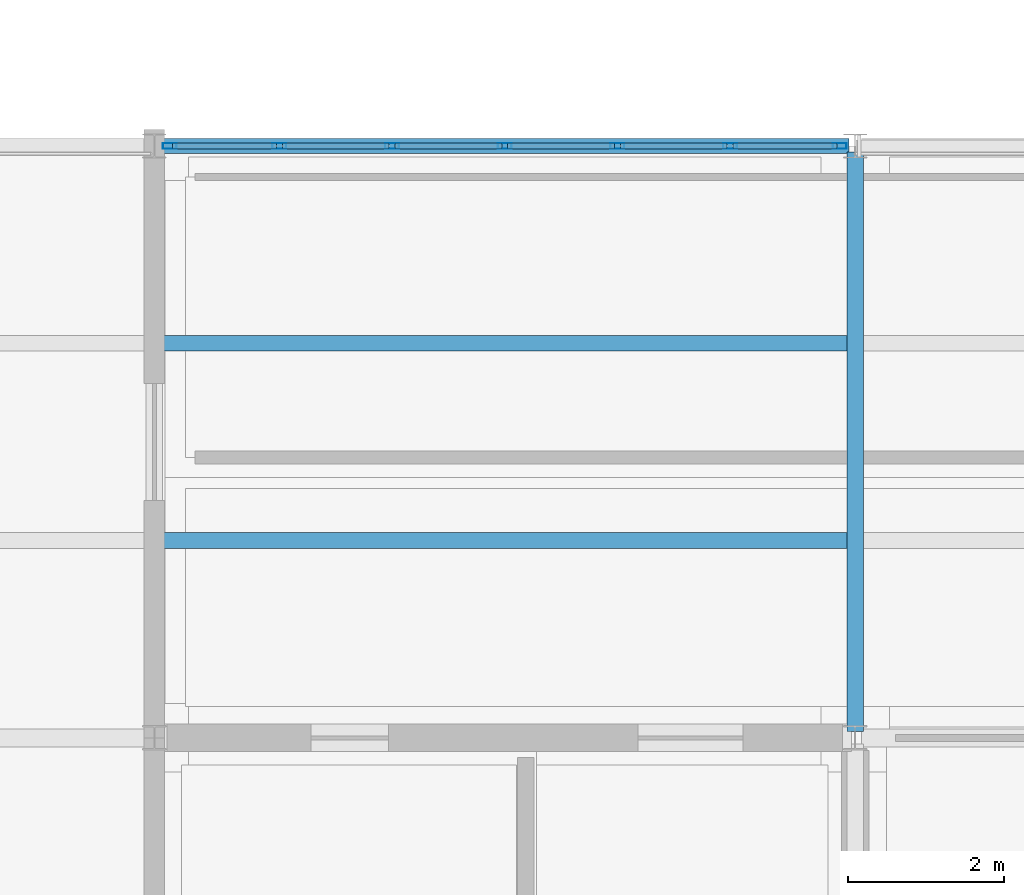
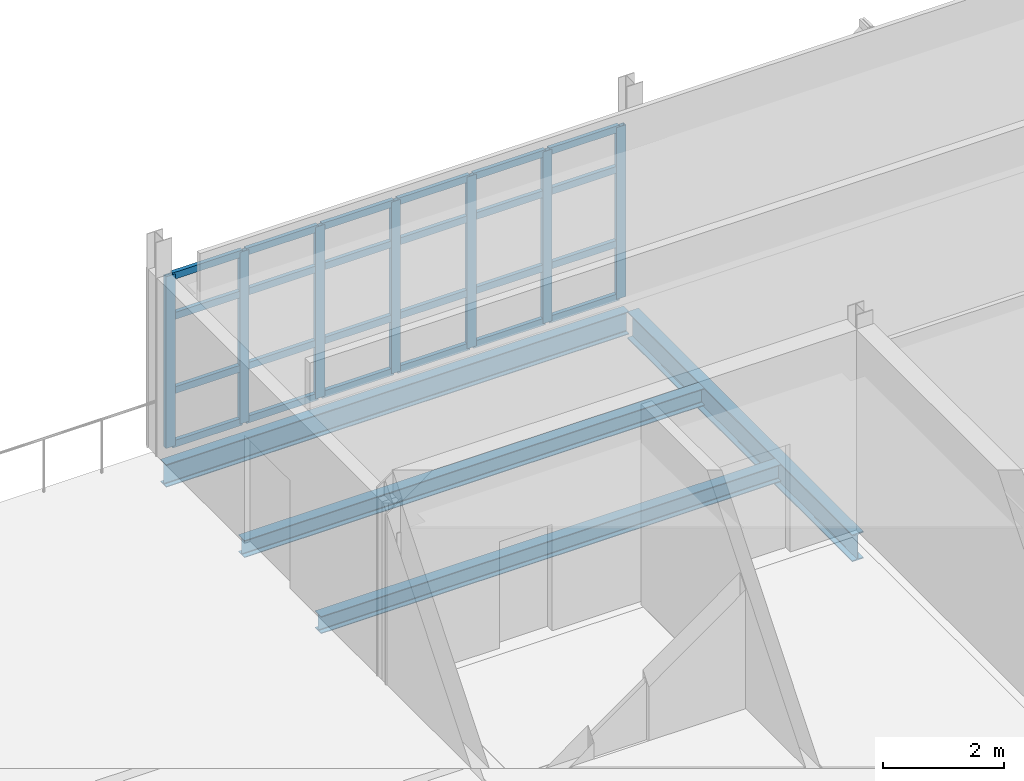
# One storey, part 7 of 48: 31 members, 4 beams, 1 element without a shape of its own.
"""IFC4 building model written with IfcOpenShell, lengths in metres."""

from ifc_helpers import new_model, si_unit, direction, frame, origin, origin_2d, place, context, subcontext, project, spatial, hollow_rectangle, i_section, extrude, material, material_profile, profile_set, type_object, element, aggregate, save


model = new_model("IFC4")

# Units and contexts
model_context = context("Model", 3, precision=1e-05, world=origin(), true_north=direction((0.0, 1.0)))
body_context = subcontext(model_context, "Body", "Model", "MODEL_VIEW")
ifc_project = project(units=[si_unit("LENGTHUNIT", "METRE"), si_unit("AREAUNIT", "SQUARE_METRE"), si_unit("VOLUMEUNIT", "CUBIC_METRE"), si_unit("PLANEANGLEUNIT", "RADIAN"), si_unit("MASSUNIT", "GRAM", prefix="KILO")], contexts=[model_context])

# Site, building, storey
site_placement = place(None, origin())
site = spatial("IfcSite", under=ifc_project, at=site_placement, CompositionType="ELEMENT")
building_placement = place(site_placement, origin())
building = spatial("IfcBuilding", under=site, at=building_placement, Name="Caisbarro Railhouse Central Library", CompositionType="ELEMENT")
storey_placement = place(building_placement, frame((0.0, 0.0, 18.0)))
storey = spatial("IfcBuildingStorey", under=building, at=storey_placement, Name="L04", CompositionType="ELEMENT", Elevation=18.0)

# Beams
ifc_material_1 = material(Name="Steel ASTM A572 Grade 50", Category="steel")
ifc_material_profile_1 = material_profile(ifc_material_1, i_section(OverallWidth=0.2119140625, OverallDepth=0.5439453125, WebThickness=0.01318359375, FlangeThickness=0.021240234375, FilletRadius=0.02001953125, at=origin_2d()), Name="W530X123.0")
ifc_profile_set_1 = profile_set([ifc_material_profile_1], Name="Steel ASTM A572 Grade 50")
beam_type_1 = type_object("IfcBeamType", Name="BM-G05", PredefinedType="BEAM", material=ifc_profile_set_1)
beam_1_placement = place(storey_placement, frame((72.0, 15.280029296875, -0.552001953125), z_axis=(0.0, 1.0, 0.0), x_axis=(-1.0, 0.0, 0.0)))
element("IfcBeam", 1, at=beam_1_placement, inside=storey, type_object=beam_type_1, Name="G05 beam L04 #2040", PredefinedType="BEAM", context=body_context, shape_type="SweptSolid", body=[
    extrude(i_section(OverallWidth=0.2119140625, OverallDepth=0.5439453125, WebThickness=0.01318359375, FlangeThickness=0.021240234375, FilletRadius=0.02001953125, at=origin_2d()), origin(), (0.0, 0.0, 1.0), 7.43994140625),
])
ifc_material_profile_2 = material_profile(ifc_material_1, i_section(OverallWidth=0.202880859375, OverallDepth=0.346923828125, WebThickness=0.0078125, FlangeThickness=0.013427734375, FilletRadius=0.014892578125, at=origin_2d()), Name="W360X64.0")
ifc_profile_set_2 = profile_set([ifc_material_profile_2], Name="Steel ASTM A572 Grade 50")
beam_type_2 = type_object("IfcBeamType", Name="BM-J01", PredefinedType="JOIST", material=ifc_profile_set_2)
for number, where, z_axis, x_axis, name in (
    (2, (63.10595703125, 17.7333984375, -0.45361328125), (1.0, 0.0, 0.0), (0.0, 1.0, 0.0), "J01 beam L04 #2053"),
    (3, (63.10595703125, 20.2666015625, -0.45361328125), (1.0, 0.0, 0.0), (0.0, 1.0, 0.0), "J01 beam L04 #2054"),
):
    element("IfcBeam", number, at=place(storey_placement, frame(where, z_axis=z_axis, x_axis=x_axis)), inside=storey, type_object=beam_type_2, Name=name, PredefinedType="JOIST", context=body_context, shape_type="SweptSolid", body=[
        extrude(i_section(OverallWidth=0.202880859375, OverallDepth=0.346923828125, WebThickness=0.0078125, FlangeThickness=0.013427734375, FilletRadius=0.014892578125, at=origin_2d()), origin(), (0.0, 0.0, 1.0), 8.7880859375),
    ])
ifc_material_profile_3 = material_profile(ifc_material_1, i_section(OverallWidth=0.18994140625, OverallDepth=0.45703125, WebThickness=0.009033203125, FlangeThickness=0.014404296875, FilletRadius=0.01806640625, at=origin_2d()), Name="W460X74.0")
ifc_profile_set_3 = profile_set([ifc_material_profile_3], Name="Steel ASTM A572 Grade 50")
beam_type_3 = type_object("IfcBeamType", Name="BM-SP01", PredefinedType="SPANDREL", material=ifc_profile_set_3)
beam_2_placement = place(storey_placement, frame((63.080078125, 22.800048828125, -0.508544921875), z_axis=(1.0, 0.0, 0.0), x_axis=(0.0, 1.0, 0.0)))
element("IfcBeam", 4, at=beam_2_placement, inside=storey, type_object=beam_type_3, Name="SP01 beam L04 #2030", PredefinedType="SPANDREL", context=body_context, shape_type="SweptSolid", body=[
    extrude(i_section(OverallWidth=0.18994140625, OverallDepth=0.45703125, WebThickness=0.009033203125, FlangeThickness=0.014404296875, FilletRadius=0.01806640625, at=origin_2d()), origin(), (0.0, 0.0, 1.0), 8.83984375),
])

# Curtain wall, members
ifc_material_2 = material(Name="Anodised architectural aluminium", Category="aluminium")
curtain_wall_type = type_object("IfcCurtainWallType", Name="CW-CW02", PredefinedType="NOTDEFINED", material=ifc_material_2)
curtain_wall_placement = place(storey_placement, origin())
curtain_wall = element("IfcCurtainWall", 5, at=curtain_wall_placement, inside=storey, type_object=curtain_wall_type, Name="CW02 curtain wall L04 #67", PredefinedType="NOTDEFINED")
ifc_material_profile_4 = material_profile(ifc_material_2, hollow_rectangle(XDim=0.074951171875, YDim=0.179931640625, WallThickness=0.00439453125, at=origin_2d()), Name="ALU-MUL-75X180")
ifc_profile_set_4 = profile_set([ifc_material_profile_4], Name="Anodised architectural aluminium")
member_type_1 = type_object("IfcMemberType", Name="CWM-M01", PredefinedType="MULLION", material=ifc_profile_set_4)
member_1_placement = place(storey_placement, frame((63.197509765625, 22.800048828125, 0.0), z_axis=(0.0, 0.0, 1.0), x_axis=(0.0, 1.0, 0.0)))
member_1 = element("IfcMember", 6, at=member_1_placement, type_object=member_type_1, Name="CW02 mullion 1", PredefinedType="MULLION", context=body_context, shape_type="SweptSolid", body=[
    extrude(hollow_rectangle(XDim=0.074951171875, YDim=0.179931640625, WallThickness=0.00439453125, at=origin_2d()), origin(), (0.0, 0.0, 1.0), 3.469970703125),
])
member_2_placement = place(storey_placement, frame((64.606689453125, 22.800048828125, 0.0), z_axis=(0.0, 0.0, 1.0), x_axis=(0.0, 1.0, 0.0)))
member_2 = element("IfcMember", 7, at=member_2_placement, type_object=member_type_1, Name="CW02 mullion 2", PredefinedType="MULLION", context=body_context, shape_type="SweptSolid", body=[
    extrude(hollow_rectangle(XDim=0.074951171875, YDim=0.179931640625, WallThickness=0.00439453125, at=origin_2d()), origin(), (0.0, 0.0, 1.0), 3.469970703125),
])
member_3_placement = place(storey_placement, frame((66.05322265625, 22.800048828125, 0.0), z_axis=(0.0, 0.0, 1.0), x_axis=(0.0, 1.0, 0.0)))
member_3 = element("IfcMember", 8, at=member_3_placement, type_object=member_type_1, Name="CW02 mullion 3", PredefinedType="MULLION", context=body_context, shape_type="SweptSolid", body=[
    extrude(hollow_rectangle(XDim=0.074951171875, YDim=0.179931640625, WallThickness=0.00439453125, at=origin_2d()), origin(), (0.0, 0.0, 1.0), 3.469970703125),
])
member_4_placement = place(storey_placement, frame((67.5, 22.800048828125, 0.0), z_axis=(0.0, 0.0, 1.0), x_axis=(0.0, 1.0, 0.0)))
member_4 = element("IfcMember", 9, at=member_4_placement, type_object=member_type_1, Name="CW02 mullion 4", PredefinedType="MULLION", context=body_context, shape_type="SweptSolid", body=[
    extrude(hollow_rectangle(XDim=0.074951171875, YDim=0.179931640625, WallThickness=0.00439453125, at=origin_2d()), origin(), (0.0, 0.0, 1.0), 3.469970703125),
])
member_5_placement = place(storey_placement, frame((68.94677734375, 22.800048828125, 0.0), z_axis=(0.0, 0.0, 1.0), x_axis=(0.0, 1.0, 0.0)))
member_5 = element("IfcMember", 10, at=member_5_placement, type_object=member_type_1, Name="CW02 mullion 5", PredefinedType="MULLION", context=body_context, shape_type="SweptSolid", body=[
    extrude(hollow_rectangle(XDim=0.074951171875, YDim=0.179931640625, WallThickness=0.00439453125, at=origin_2d()), origin(), (0.0, 0.0, 1.0), 3.469970703125),
])
member_6_placement = place(storey_placement, frame((70.393310546875, 22.800048828125, 0.0), z_axis=(0.0, 0.0, 1.0), x_axis=(0.0, 1.0, 0.0)))
member_6 = element("IfcMember", 11, at=member_6_placement, type_object=member_type_1, Name="CW02 mullion 6", PredefinedType="MULLION", context=body_context, shape_type="SweptSolid", body=[
    extrude(hollow_rectangle(XDim=0.074951171875, YDim=0.179931640625, WallThickness=0.00439453125, at=origin_2d()), origin(), (0.0, 0.0, 1.0), 3.469970703125),
])
member_7_placement = place(storey_placement, frame((71.802490234375, 22.800048828125, 0.0), z_axis=(0.0, 0.0, 1.0), x_axis=(0.0, 1.0, 0.0)))
member_7 = element("IfcMember", 12, at=member_7_placement, type_object=member_type_1, Name="CW02 mullion 7", PredefinedType="MULLION", context=body_context, shape_type="SweptSolid", body=[
    extrude(hollow_rectangle(XDim=0.074951171875, YDim=0.179931640625, WallThickness=0.00439453125, at=origin_2d()), origin(), (0.0, 0.0, 1.0), 3.469970703125),
])
ifc_material_profile_5 = material_profile(ifc_material_2, hollow_rectangle(XDim=0.074951171875, YDim=0.139892578125, WallThickness=0.00390625, at=origin_2d()), Name="ALU-TRN-75X140")
ifc_profile_set_5 = profile_set([ifc_material_profile_5], Name="Anodised architectural aluminium")
member_type_2 = type_object("IfcMemberType", Name="CWT-T01", PredefinedType="USERDEFINED", material=ifc_profile_set_5)
member_8_placement = place(storey_placement, frame((63.235107421875, 22.800048828125, 0.03759765625), z_axis=(1.0, 0.0, 0.0), x_axis=(0.0, 1.0, 0.0)))
member_8 = element("IfcMember", 13, at=member_8_placement, type_object=member_type_2, Name="CW02 transom 1.1", ObjectType="TRANSOM", PredefinedType="USERDEFINED", context=body_context, shape_type="SweptSolid", body=[
    extrude(hollow_rectangle(XDim=0.074951171875, YDim=0.139892578125, WallThickness=0.00390625, at=origin_2d()), origin(), (0.0, 0.0, 1.0), 1.333984375),
])
member_9_placement = place(storey_placement, frame((63.235107421875, 22.800048828125, 1.1201171875), z_axis=(1.0, 0.0, 0.0), x_axis=(0.0, 1.0, 0.0)))
member_9 = element("IfcMember", 14, at=member_9_placement, type_object=member_type_2, Name="CW02 transom 1.2", ObjectType="TRANSOM", PredefinedType="USERDEFINED", context=body_context, shape_type="SweptSolid", body=[
    extrude(hollow_rectangle(XDim=0.074951171875, YDim=0.139892578125, WallThickness=0.00390625, at=origin_2d()), origin(), (0.0, 0.0, 1.0), 1.333984375),
])
member_10_placement = place(storey_placement, frame((63.235107421875, 22.800048828125, 2.6201171875), z_axis=(1.0, 0.0, 0.0), x_axis=(0.0, 1.0, 0.0)))
member_10 = element("IfcMember", 15, at=member_10_placement, type_object=member_type_2, Name="CW02 transom 1.3", ObjectType="TRANSOM", PredefinedType="USERDEFINED", context=body_context, shape_type="SweptSolid", body=[
    extrude(hollow_rectangle(XDim=0.074951171875, YDim=0.139892578125, WallThickness=0.00390625, at=origin_2d()), origin(), (0.0, 0.0, 1.0), 1.333984375),
])
member_11_placement = place(storey_placement, frame((63.235107421875, 22.800048828125, 3.4326171875), z_axis=(1.0, 0.0, 0.0), x_axis=(0.0, 1.0, 0.0)))
member_11 = element("IfcMember", 16, at=member_11_placement, type_object=member_type_2, Name="CW02 transom 1.4", ObjectType="TRANSOM", PredefinedType="USERDEFINED", context=body_context, shape_type="SweptSolid", body=[
    extrude(hollow_rectangle(XDim=0.074951171875, YDim=0.139892578125, WallThickness=0.00390625, at=origin_2d()), origin(), (0.0, 0.0, 1.0), 1.333984375),
])
member_12_placement = place(storey_placement, frame((64.644287109375, 22.800048828125, 0.03759765625), z_axis=(1.0, 0.0, 0.0), x_axis=(0.0, 1.0, 0.0)))
member_12 = element("IfcMember", 17, at=member_12_placement, type_object=member_type_2, Name="CW02 transom 2.1", ObjectType="TRANSOM", PredefinedType="USERDEFINED", context=body_context, shape_type="SweptSolid", body=[
    extrude(hollow_rectangle(XDim=0.074951171875, YDim=0.139892578125, WallThickness=0.00390625, at=origin_2d()), origin(), (0.0, 0.0, 1.0), 1.37158203125),
])
member_13_placement = place(storey_placement, frame((64.644287109375, 22.800048828125, 1.1201171875), z_axis=(1.0, 0.0, 0.0), x_axis=(0.0, 1.0, 0.0)))
member_13 = element("IfcMember", 18, at=member_13_placement, type_object=member_type_2, Name="CW02 transom 2.2", ObjectType="TRANSOM", PredefinedType="USERDEFINED", context=body_context, shape_type="SweptSolid", body=[
    extrude(hollow_rectangle(XDim=0.074951171875, YDim=0.139892578125, WallThickness=0.00390625, at=origin_2d()), origin(), (0.0, 0.0, 1.0), 1.37158203125),
])
member_14_placement = place(storey_placement, frame((64.644287109375, 22.800048828125, 2.6201171875), z_axis=(1.0, 0.0, 0.0), x_axis=(0.0, 1.0, 0.0)))
member_14 = element("IfcMember", 19, at=member_14_placement, type_object=member_type_2, Name="CW02 transom 2.3", ObjectType="TRANSOM", PredefinedType="USERDEFINED", context=body_context, shape_type="SweptSolid", body=[
    extrude(hollow_rectangle(XDim=0.074951171875, YDim=0.139892578125, WallThickness=0.00390625, at=origin_2d()), origin(), (0.0, 0.0, 1.0), 1.37158203125),
])
member_15_placement = place(storey_placement, frame((64.644287109375, 22.800048828125, 3.4326171875), z_axis=(1.0, 0.0, 0.0), x_axis=(0.0, 1.0, 0.0)))
member_15 = element("IfcMember", 20, at=member_15_placement, type_object=member_type_2, Name="CW02 transom 2.4", ObjectType="TRANSOM", PredefinedType="USERDEFINED", context=body_context, shape_type="SweptSolid", body=[
    extrude(hollow_rectangle(XDim=0.074951171875, YDim=0.139892578125, WallThickness=0.00390625, at=origin_2d()), origin(), (0.0, 0.0, 1.0), 1.37158203125),
])
member_16_placement = place(storey_placement, frame((66.0908203125, 22.800048828125, 0.03759765625), z_axis=(1.0, 0.0, 0.0), x_axis=(0.0, 1.0, 0.0)))
member_16 = element("IfcMember", 21, at=member_16_placement, type_object=member_type_2, Name="CW02 transom 3.1", ObjectType="TRANSOM", PredefinedType="USERDEFINED", context=body_context, shape_type="SweptSolid", body=[
    extrude(hollow_rectangle(XDim=0.074951171875, YDim=0.139892578125, WallThickness=0.00390625, at=origin_2d()), origin(), (0.0, 0.0, 1.0), 1.37158203125),
])
member_17_placement = place(storey_placement, frame((66.0908203125, 22.800048828125, 1.1201171875), z_axis=(1.0, 0.0, 0.0), x_axis=(0.0, 1.0, 0.0)))
member_17 = element("IfcMember", 22, at=member_17_placement, type_object=member_type_2, Name="CW02 transom 3.2", ObjectType="TRANSOM", PredefinedType="USERDEFINED", context=body_context, shape_type="SweptSolid", body=[
    extrude(hollow_rectangle(XDim=0.074951171875, YDim=0.139892578125, WallThickness=0.00390625, at=origin_2d()), origin(), (0.0, 0.0, 1.0), 1.37158203125),
])
member_18_placement = place(storey_placement, frame((66.0908203125, 22.800048828125, 2.6201171875), z_axis=(1.0, 0.0, 0.0), x_axis=(0.0, 1.0, 0.0)))
member_18 = element("IfcMember", 23, at=member_18_placement, type_object=member_type_2, Name="CW02 transom 3.3", ObjectType="TRANSOM", PredefinedType="USERDEFINED", context=body_context, shape_type="SweptSolid", body=[
    extrude(hollow_rectangle(XDim=0.074951171875, YDim=0.139892578125, WallThickness=0.00390625, at=origin_2d()), origin(), (0.0, 0.0, 1.0), 1.37158203125),
])
member_19_placement = place(storey_placement, frame((66.0908203125, 22.800048828125, 3.4326171875), z_axis=(1.0, 0.0, 0.0), x_axis=(0.0, 1.0, 0.0)))
member_19 = element("IfcMember", 24, at=member_19_placement, type_object=member_type_2, Name="CW02 transom 3.4", ObjectType="TRANSOM", PredefinedType="USERDEFINED", context=body_context, shape_type="SweptSolid", body=[
    extrude(hollow_rectangle(XDim=0.074951171875, YDim=0.139892578125, WallThickness=0.00390625, at=origin_2d()), origin(), (0.0, 0.0, 1.0), 1.37158203125),
])
member_20_placement = place(storey_placement, frame((67.53759765625, 22.800048828125, 0.03759765625), z_axis=(1.0, 0.0, 0.0), x_axis=(0.0, 1.0, 0.0)))
member_20 = element("IfcMember", 25, at=member_20_placement, type_object=member_type_2, Name="CW02 transom 4.1", ObjectType="TRANSOM", PredefinedType="USERDEFINED", context=body_context, shape_type="SweptSolid", body=[
    extrude(hollow_rectangle(XDim=0.074951171875, YDim=0.139892578125, WallThickness=0.00390625, at=origin_2d()), origin(), (0.0, 0.0, 1.0), 1.37158203125),
])
member_21_placement = place(storey_placement, frame((67.53759765625, 22.800048828125, 1.1201171875), z_axis=(1.0, 0.0, 0.0), x_axis=(0.0, 1.0, 0.0)))
member_21 = element("IfcMember", 26, at=member_21_placement, type_object=member_type_2, Name="CW02 transom 4.2", ObjectType="TRANSOM", PredefinedType="USERDEFINED", context=body_context, shape_type="SweptSolid", body=[
    extrude(hollow_rectangle(XDim=0.074951171875, YDim=0.139892578125, WallThickness=0.00390625, at=origin_2d()), origin(), (0.0, 0.0, 1.0), 1.37158203125),
])
member_22_placement = place(storey_placement, frame((67.53759765625, 22.800048828125, 2.6201171875), z_axis=(1.0, 0.0, 0.0), x_axis=(0.0, 1.0, 0.0)))
member_22 = element("IfcMember", 27, at=member_22_placement, type_object=member_type_2, Name="CW02 transom 4.3", ObjectType="TRANSOM", PredefinedType="USERDEFINED", context=body_context, shape_type="SweptSolid", body=[
    extrude(hollow_rectangle(XDim=0.074951171875, YDim=0.139892578125, WallThickness=0.00390625, at=origin_2d()), origin(), (0.0, 0.0, 1.0), 1.37158203125),
])
member_23_placement = place(storey_placement, frame((67.53759765625, 22.800048828125, 3.4326171875), z_axis=(1.0, 0.0, 0.0), x_axis=(0.0, 1.0, 0.0)))
member_23 = element("IfcMember", 28, at=member_23_placement, type_object=member_type_2, Name="CW02 transom 4.4", ObjectType="TRANSOM", PredefinedType="USERDEFINED", context=body_context, shape_type="SweptSolid", body=[
    extrude(hollow_rectangle(XDim=0.074951171875, YDim=0.139892578125, WallThickness=0.00390625, at=origin_2d()), origin(), (0.0, 0.0, 1.0), 1.37158203125),
])
member_24_placement = place(storey_placement, frame((68.984130859375, 22.800048828125, 0.03759765625), z_axis=(1.0, 0.0, 0.0), x_axis=(0.0, 1.0, 0.0)))
member_24 = element("IfcMember", 29, at=member_24_placement, type_object=member_type_2, Name="CW02 transom 5.1", ObjectType="TRANSOM", PredefinedType="USERDEFINED", context=body_context, shape_type="SweptSolid", body=[
    extrude(hollow_rectangle(XDim=0.074951171875, YDim=0.139892578125, WallThickness=0.00390625, at=origin_2d()), origin(), (0.0, 0.0, 1.0), 1.37158203125),
])
member_25_placement = place(storey_placement, frame((68.984130859375, 22.800048828125, 1.1201171875), z_axis=(1.0, 0.0, 0.0), x_axis=(0.0, 1.0, 0.0)))
member_25 = element("IfcMember", 30, at=member_25_placement, type_object=member_type_2, Name="CW02 transom 5.2", ObjectType="TRANSOM", PredefinedType="USERDEFINED", context=body_context, shape_type="SweptSolid", body=[
    extrude(hollow_rectangle(XDim=0.074951171875, YDim=0.139892578125, WallThickness=0.00390625, at=origin_2d()), origin(), (0.0, 0.0, 1.0), 1.37158203125),
])
member_26_placement = place(storey_placement, frame((68.984130859375, 22.800048828125, 2.6201171875), z_axis=(1.0, 0.0, 0.0), x_axis=(0.0, 1.0, 0.0)))
member_26 = element("IfcMember", 31, at=member_26_placement, type_object=member_type_2, Name="CW02 transom 5.3", ObjectType="TRANSOM", PredefinedType="USERDEFINED", context=body_context, shape_type="SweptSolid", body=[
    extrude(hollow_rectangle(XDim=0.074951171875, YDim=0.139892578125, WallThickness=0.00390625, at=origin_2d()), origin(), (0.0, 0.0, 1.0), 1.37158203125),
])
member_27_placement = place(storey_placement, frame((68.984130859375, 22.800048828125, 3.4326171875), z_axis=(1.0, 0.0, 0.0), x_axis=(0.0, 1.0, 0.0)))
member_27 = element("IfcMember", 32, at=member_27_placement, type_object=member_type_2, Name="CW02 transom 5.4", ObjectType="TRANSOM", PredefinedType="USERDEFINED", context=body_context, shape_type="SweptSolid", body=[
    extrude(hollow_rectangle(XDim=0.074951171875, YDim=0.139892578125, WallThickness=0.00390625, at=origin_2d()), origin(), (0.0, 0.0, 1.0), 1.37158203125),
])
member_28_placement = place(storey_placement, frame((70.430908203125, 22.800048828125, 0.03759765625), z_axis=(1.0, 0.0, 0.0), x_axis=(0.0, 1.0, 0.0)))
member_28 = element("IfcMember", 33, at=member_28_placement, type_object=member_type_2, Name="CW02 transom 6.1", ObjectType="TRANSOM", PredefinedType="USERDEFINED", context=body_context, shape_type="SweptSolid", body=[
    extrude(hollow_rectangle(XDim=0.074951171875, YDim=0.139892578125, WallThickness=0.00390625, at=origin_2d()), origin(), (0.0, 0.0, 1.0), 1.333984375),
])
member_29_placement = place(storey_placement, frame((70.430908203125, 22.800048828125, 1.1201171875), z_axis=(1.0, 0.0, 0.0), x_axis=(0.0, 1.0, 0.0)))
member_29 = element("IfcMember", 34, at=member_29_placement, type_object=member_type_2, Name="CW02 transom 6.2", ObjectType="TRANSOM", PredefinedType="USERDEFINED", context=body_context, shape_type="SweptSolid", body=[
    extrude(hollow_rectangle(XDim=0.074951171875, YDim=0.139892578125, WallThickness=0.00390625, at=origin_2d()), origin(), (0.0, 0.0, 1.0), 1.333984375),
])
member_30_placement = place(storey_placement, frame((70.430908203125, 22.800048828125, 2.6201171875), z_axis=(1.0, 0.0, 0.0), x_axis=(0.0, 1.0, 0.0)))
member_30 = element("IfcMember", 35, at=member_30_placement, type_object=member_type_2, Name="CW02 transom 6.3", ObjectType="TRANSOM", PredefinedType="USERDEFINED", context=body_context, shape_type="SweptSolid", body=[
    extrude(hollow_rectangle(XDim=0.074951171875, YDim=0.139892578125, WallThickness=0.00390625, at=origin_2d()), origin(), (0.0, 0.0, 1.0), 1.333984375),
])
member_31_placement = place(storey_placement, frame((70.430908203125, 22.800048828125, 3.4326171875), z_axis=(1.0, 0.0, 0.0), x_axis=(0.0, 1.0, 0.0)))
member_31 = element("IfcMember", 36, at=member_31_placement, type_object=member_type_2, Name="CW02 transom 6.4", ObjectType="TRANSOM", PredefinedType="USERDEFINED", context=body_context, shape_type="SweptSolid", body=[
    extrude(hollow_rectangle(XDim=0.074951171875, YDim=0.139892578125, WallThickness=0.00390625, at=origin_2d()), origin(), (0.0, 0.0, 1.0), 1.333984375),
])
aggregate(curtain_wall, [member_1, member_2, member_3, member_4, member_5, member_6, member_7, member_8, member_9, member_10, member_11, member_12, member_13, member_14, member_15, member_16, member_17, member_18, member_19, member_20, member_21, member_22, member_23, member_24, member_25, member_26, member_27, member_28, member_29, member_30, member_31])

save(model, "model.ifc")
